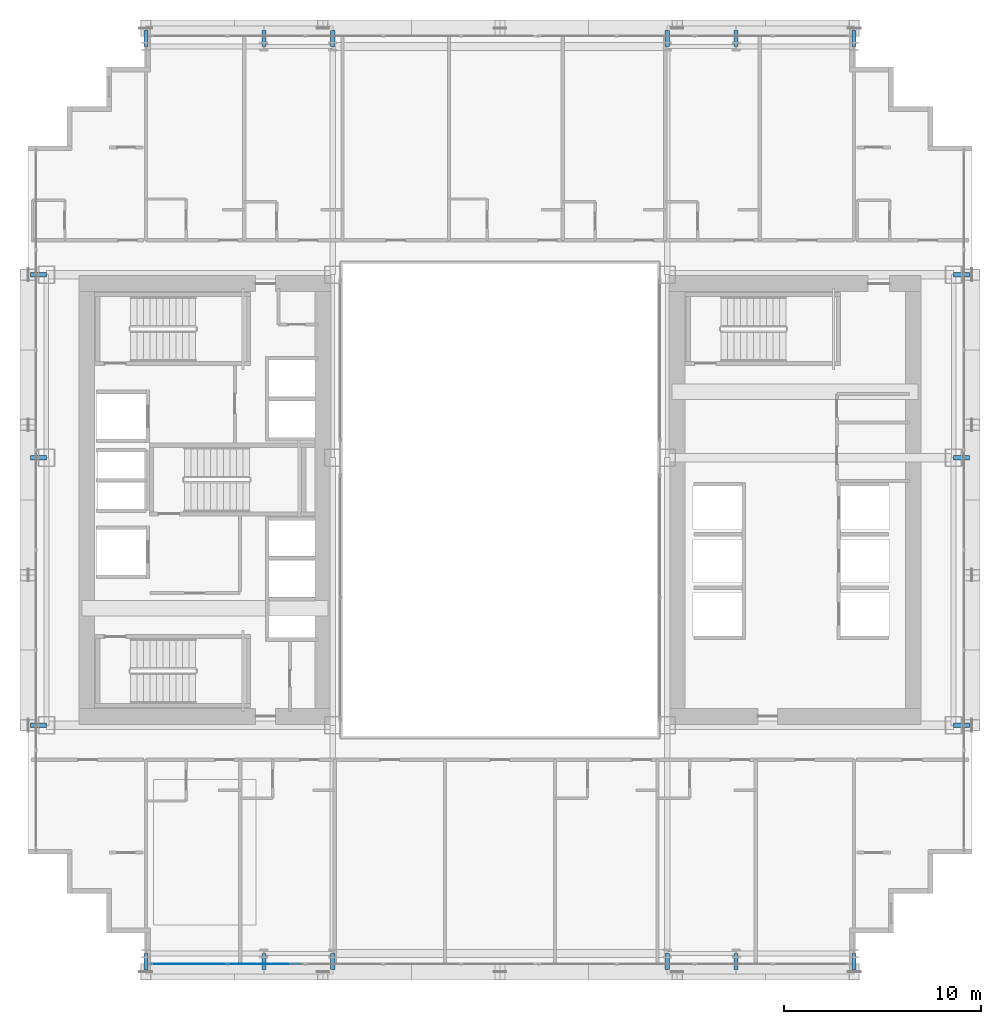
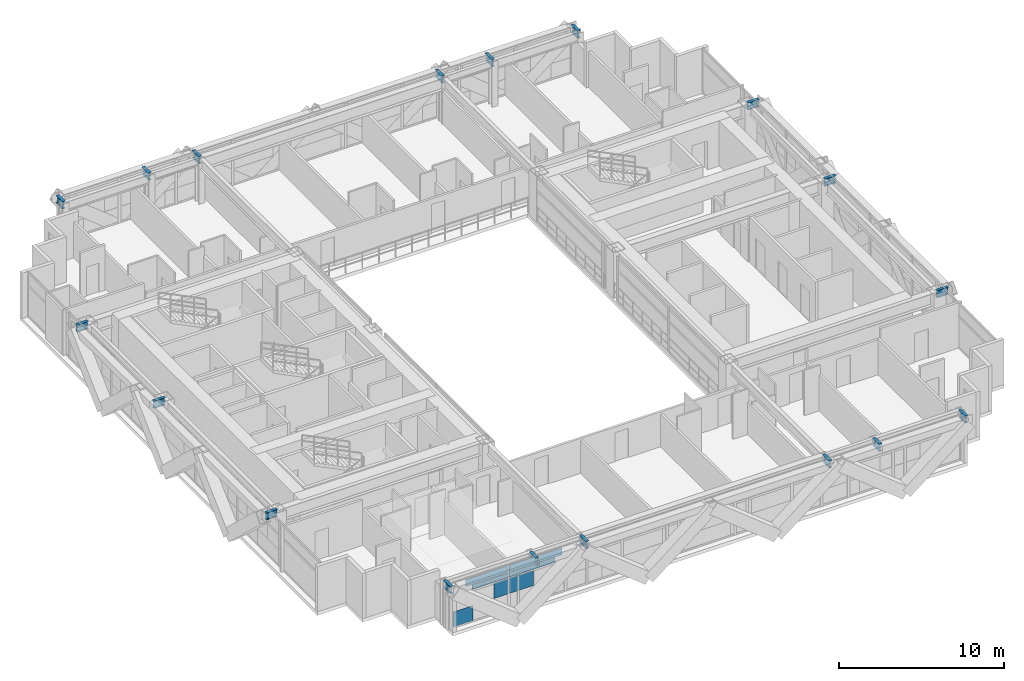
# One storey, part 26 of 41: 18 beams, 7 plates, 1 element without a shape of its own.
"""IFC4 building model written with IfcOpenShell, lengths in metres."""

from ifc_helpers import new_model, si_unit, direction, frame, origin, origin_2d, place, context, subcontext, project, spatial, rectangle, i_section, extrude, source, transform, mapped, material, layer, layer_set, material_profile, profile_set, type_object, element, aggregate, save


model = new_model("IFC4")

# Units and contexts
model_context = context("Model", 3, precision=1e-05, world=origin(), true_north=direction((0.0, 1.0)))
body_context = subcontext(model_context, "Body", "Model", "MODEL_VIEW")
ifc_project = project(units=[si_unit("LENGTHUNIT", "METRE"), si_unit("AREAUNIT", "SQUARE_METRE"), si_unit("VOLUMEUNIT", "CUBIC_METRE"), si_unit("PLANEANGLEUNIT", "RADIAN"), si_unit("MASSUNIT", "GRAM", prefix="KILO")], contexts=[model_context])

# Site, building, storey
site_placement = place(None, origin())
site = spatial("IfcSite", under=ifc_project, at=site_placement, CompositionType="ELEMENT")
building_placement = place(site_placement, origin())
building = spatial("IfcBuilding", under=site, at=building_placement, Name="Ocotamira Hotel", CompositionType="ELEMENT")
storey_placement = place(building_placement, frame((0.0, 0.0, 67.199951171875)))
storey = spatial("IfcBuildingStorey", under=building, at=storey_placement, Name="L16", CompositionType="ELEMENT", Elevation=67.199951171875)

# Beams
ifc_material_1 = material(Name="Steel ASTM A992 Grade 50", Category="steel")
ifc_material_profile = material_profile(ifc_material_1, i_section(OverallWidth=0.2099609375, OverallDepth=0.537109375, WebThickness=0.010986328125, FlangeThickness=0.017333984375, FilletRadius=0.012939453125, at=origin_2d()), Name="W21X68")
ifc_profile_set = profile_set([ifc_material_profile], Name="Steel ASTM A992 Grade 50")
beam_type = type_object("IfcBeamType", Name="BM-SEC-W21X68", PredefinedType="JOIST", material=ifc_profile_set)
shared_shape_1 = source(origin(), body_context, "Body", "SweptSolid", [
    extrude(i_section(OverallWidth=0.2099609375, OverallDepth=0.537109375, WebThickness=0.010986328125, FlangeThickness=0.017333984375, FilletRadius=0.012939453125, at=origin_2d()), origin(), (0.0, 0.0, 1.0), 0.800048828125),
])
for number, where, z_axis, x_axis, name in (
    (1, (14.0, 2.949951171875, 3.08154296875), (0.0, -1.0, 0.0), (1.0, 0.0, 0.0), "L16 South Edge Header X14"),
    (2, (14.0, 49.050048828125, 3.08154296875), (0.0, 1.0, 0.0), (-1.0, 0.0, 0.0), "L16 North Edge Header X14"),
    (3, (20.0, 2.949951171875, 3.08154296875), (0.0, -1.0, 0.0), (1.0, 0.0, 0.0), "L16 South Edge Header X20"),
    (4, (20.0, 49.050048828125, 3.08154296875), (0.0, 1.0, 0.0), (-1.0, 0.0, 0.0), "L16 North Edge Header X20"),
    (5, (23.5, 2.949951171875, 3.08154296875), (0.0, -1.0, 0.0), (1.0, 0.0, 0.0), "L16 South Edge Header X23.5"),
    (6, (23.5, 49.050048828125, 3.08154296875), (0.0, 1.0, 0.0), (-1.0, 0.0, 0.0), "L16 North Edge Header X23.5"),
    (7, (40.5, 2.949951171875, 3.08154296875), (0.0, -1.0, 0.0), (1.0, 0.0, 0.0), "L16 South Edge Header X40.5"),
    (8, (40.5, 49.050048828125, 3.08154296875), (0.0, 1.0, 0.0), (-1.0, 0.0, 0.0), "L16 North Edge Header X40.5"),
    (9, (44.0, 2.949951171875, 3.08154296875), (0.0, -1.0, 0.0), (1.0, 0.0, 0.0), "L16 South Edge Header X44"),
    (10, (44.0, 49.050048828125, 3.08154296875), (0.0, 1.0, 0.0), (-1.0, 0.0, 0.0), "L16 North Edge Header X44"),
    (11, (50.0, 2.949951171875, 3.08154296875), (0.0, -1.0, 0.0), (1.0, 0.0, 0.0), "L16 South Edge Header X50"),
    (12, (50.0, 49.050048828125, 3.08154296875), (0.0, 1.0, 0.0), (-1.0, 0.0, 0.0), "L16 North Edge Header X50"),
    (13, (8.949951171875, 14.550048828125, 3.08154296875), (-1.0, 0.0, 0.0), (0.0, -1.0, 0.0), "L16 West Edge Header Y14.55"),
    (14, (55.050048828125, 14.550048828125, 3.08154296875), (1.0, 0.0, 0.0), (0.0, 1.0, 0.0), "L16 East Edge Header Y14.55"),
    (15, (8.949951171875, 28.14990234375, 3.08154296875), (-1.0, 0.0, 0.0), (0.0, -1.0, 0.0), "L16 West Edge Header Y28.15"),
    (16, (55.050048828125, 28.14990234375, 3.08154296875), (1.0, 0.0, 0.0), (0.0, 1.0, 0.0), "L16 East Edge Header Y28.15"),
    (17, (8.949951171875, 37.449951171875, 3.08154296875), (-1.0, 0.0, 0.0), (0.0, -1.0, 0.0), "L16 West Edge Header Y37.45"),
    (18, (55.050048828125, 37.449951171875, 3.08154296875), (1.0, 0.0, 0.0), (0.0, 1.0, 0.0), "L16 East Edge Header Y37.45"),
):
    element("IfcBeam", number, at=place(storey_placement, frame(where, z_axis=z_axis, x_axis=x_axis)), inside=storey, type_object=beam_type, Name=name, PredefinedType="JOIST", context=body_context, shape_type="MappedRepresentation", body=[
        mapped(shared_shape_1, transform((0.0, 0.0, 0.0), scale=1.0)),
    ])

# Curtain wall, plates
ifc_material_2 = material(Name="Anodised pale-metal aluminium and solar glass", Category="aluminium")
ifc_layer_1 = layer(ifc_material_2, 0.179931640625)
ifc_layer_set_1 = layer_set([ifc_layer_1], Name="Anodised pale-metal aluminium and solar glass")
curtain_wall_type = type_object("IfcCurtainWallType", Name="CW-SYS2-Z1", PredefinedType="NOTDEFINED", material=ifc_layer_set_1)
curtain_wall_placement = place(storey_placement, origin())
curtain_wall = element("IfcCurtainWall", 19, at=curtain_wall_placement, inside=storey, type_object=curtain_wall_type, Name="L16 Curtain Wall CW-2 CW-L16-S1", PredefinedType="NOTDEFINED")
ifc_material_3 = material(Name="Double-silver low-E insulated solar glass", Category="glass")
ifc_layer_2 = layer(ifc_material_3, 0.031982421875)
ifc_layer_set_2 = layer_set([ifc_layer_2], Name="Double-silver low-E insulated solar glass")
plate_type = type_object("IfcPlateType", Name="CWP-VISION-32", PredefinedType="CURTAIN_PANEL", material=ifc_layer_set_2)
shared_shape_2 = source(origin(), body_context, "Body", "SweptSolid", [
    extrude(rectangle(XDim=1.382568359375, YDim=0.031982421875, at=origin_2d()), origin(), (0.0, 0.0, 1.0), 1.11865234375),
])
plate_1_placement = place(storey_placement, frame((14.97119140625, 2.419921875, 0.0751953125), z_axis=(0.0, 0.0, 1.0), x_axis=(1.0, 0.0, 0.0)))
plate_1 = element("IfcPlate", 20, at=plate_1_placement, type_object=plate_type, Name="CW-2 panel 1.1.1", PredefinedType="CURTAIN_PANEL", context=body_context, shape_type="MappedRepresentation", body=[
    mapped(shared_shape_2, transform((0.0, 0.0, 0.0), scale=1.0)),
])
shared_shape_3 = source(origin(), body_context, "Body", "SweptSolid", [
    extrude(rectangle(XDim=2.9755859375, YDim=0.031982421875, at=origin_2d()), origin(), (0.0, 0.0, 1.0), 0.5107421875),
])
plate_2_placement = place(storey_placement, frame((16.627685546875, 2.419921875, 2.76416015625), z_axis=(0.0, 0.0, 1.0), x_axis=(1.0, 0.0, 0.0)))
plate_2 = element("IfcPlate", 21, at=plate_2_placement, type_object=plate_type, Name="CW-2 panel 1.2.1", PredefinedType="CURTAIN_PANEL", context=body_context, shape_type="MappedRepresentation", body=[
    mapped(shared_shape_3, transform((0.0, 0.0, 0.0), scale=1.0)),
])
shared_shape_4 = source(origin(), body_context, "Body", "SweptSolid", [
    extrude(rectangle(XDim=2.504638671875, YDim=0.031982421875, at=origin_2d()), origin(), (0.0, 0.0, 1.0), 0.345458984375),
])
plate_3_placement = place(storey_placement, frame((16.86328125, 2.419921875, 2.3876953125), z_axis=(0.0, 0.0, 1.0), x_axis=(1.0, 0.0, 0.0)))
plate_3 = element("IfcPlate", 22, at=plate_3_placement, type_object=plate_type, Name="CW-2 panel 1.2.2", PredefinedType="CURTAIN_PANEL", context=body_context, shape_type="MappedRepresentation", body=[
    mapped(shared_shape_4, transform((0.0, 0.0, 0.0), scale=1.0)),
])
shared_shape_5 = source(origin(), body_context, "Body", "SweptSolid", [
    extrude(rectangle(XDim=3.193603515625, YDim=0.031982421875, at=origin_2d()), origin(), (0.0, 0.0, 1.0), 0.376708984375),
])
plate_4_placement = place(storey_placement, frame((19.792236328125, 2.419921875, 2.3876953125), z_axis=(0.0, 0.0, 1.0), x_axis=(1.0, 0.0, 0.0)))
plate_4 = element("IfcPlate", 23, at=plate_4_placement, type_object=plate_type, Name="CW-2 panel 2.2.1", PredefinedType="CURTAIN_PANEL", context=body_context, shape_type="MappedRepresentation", body=[
    mapped(shared_shape_5, transform((0.0, 0.0, 0.0), scale=1.0)),
])
shared_shape_6 = source(origin(), body_context, "Body", "SweptSolid", [
    extrude(rectangle(XDim=3.664306640625, YDim=0.031982421875, at=origin_2d()), origin(), (0.0, 0.0, 1.0), 0.5107421875),
])
plate_5_placement = place(storey_placement, frame((20.027587890625, 2.419921875, 2.76416015625), z_axis=(0.0, 0.0, 1.0), x_axis=(1.0, 0.0, 0.0)))
plate_5 = element("IfcPlate", 24, at=plate_5_placement, type_object=plate_type, Name="CW-2 panel 2.2.2", PredefinedType="CURTAIN_PANEL", context=body_context, shape_type="MappedRepresentation", body=[
    mapped(shared_shape_6, transform((0.0, 0.0, 0.0), scale=1.0)),
])
shared_shape_7 = source(origin(), body_context, "Body", "SweptSolid", [
    extrude(rectangle(XDim=1.012451171875, YDim=0.031982421875, at=origin_2d()), origin(), (0.0, 0.0, 1.0), 1.118896484375),
])
plate_6_placement = place(storey_placement, frame((17.609375, 2.419921875, 1.19384765625), z_axis=(0.0, 0.0, 1.0), x_axis=(1.0, 0.0, 0.0)))
plate_6 = element("IfcPlate", 25, at=plate_6_placement, type_object=plate_type, Name="CW-2 panel 1.1.2", PredefinedType="CURTAIN_PANEL", context=body_context, shape_type="MappedRepresentation", body=[
    mapped(shared_shape_7, transform((0.0, 0.0, 0.0), scale=1.0)),
])
shared_shape_8 = source(origin(), body_context, "Body", "SweptSolid", [
    extrude(rectangle(XDim=1.701416015625, YDim=0.031982421875, at=origin_2d()), origin(), (0.0, 0.0, 1.0), 1.118896484375),
])
plate_7_placement = place(storey_placement, frame((19.046142578125, 2.419921875, 1.19384765625), z_axis=(0.0, 0.0, 1.0), x_axis=(1.0, 0.0, 0.0)))
plate_7 = element("IfcPlate", 26, at=plate_7_placement, type_object=plate_type, Name="CW-2 panel 2.1.1", PredefinedType="CURTAIN_PANEL", context=body_context, shape_type="MappedRepresentation", body=[
    mapped(shared_shape_8, transform((0.0, 0.0, 0.0), scale=1.0)),
])
aggregate(curtain_wall, [plate_1, plate_6, plate_2, plate_3, plate_7, plate_4, plate_5])

save(model, "model.ifc")
